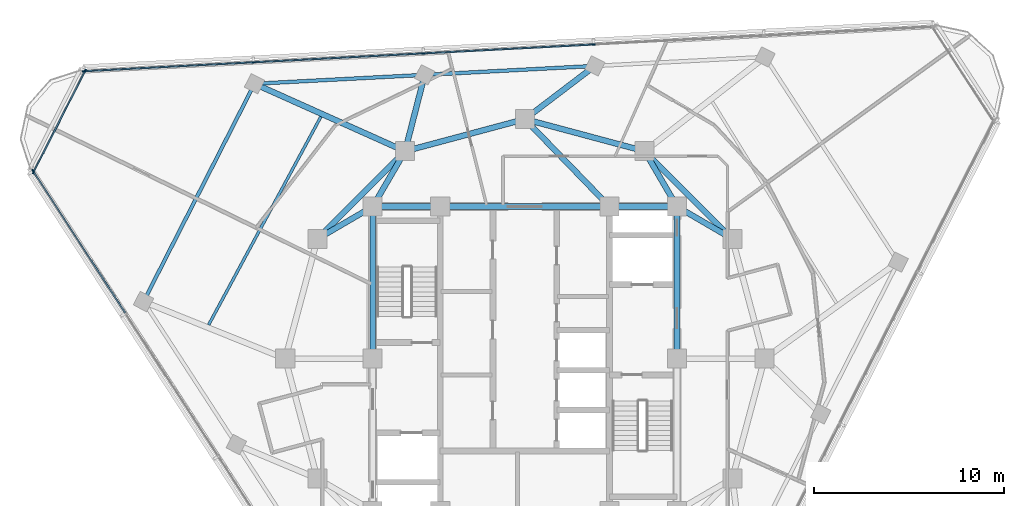
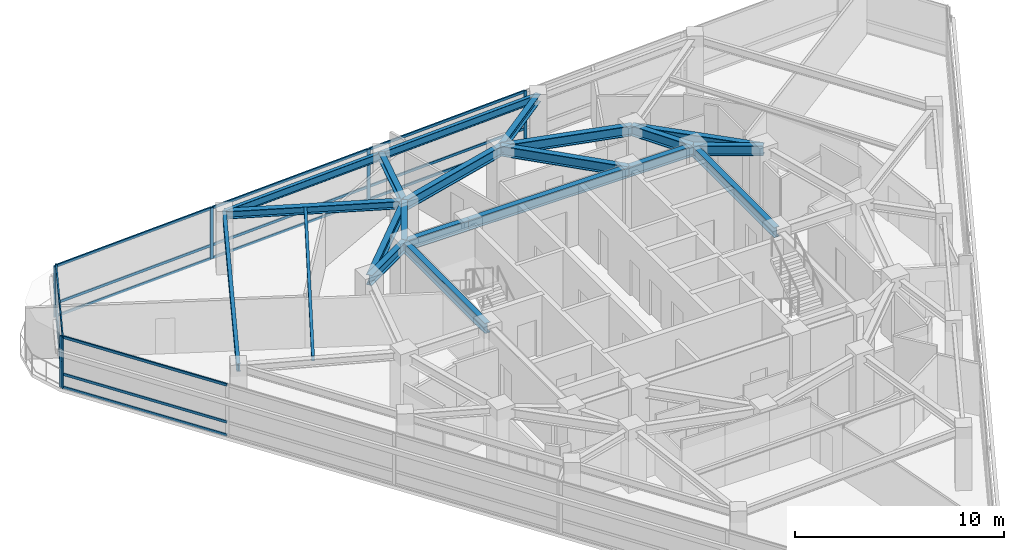
# One storey, part 5 of 15: 22 members, 21 beams, 3 elements without a shape of their own.
"""IFC4 building model written with IfcOpenShell, lengths in metres."""

import ifcopenshell
import ifcopenshell.guid

model = None  # the IFC model being written
_history = None  # IfcOwnerHistory: only IFC2X3 demands one
_inside = {}  # id of a spatial element -> (the spatial element, [elements in it])
_under = {}  # id of a project, library or spatial element -> (it, [spatial elements below it])
_declared = {}  # id of a project -> (the project, [libraries it declares])
_typed = {}  # id of a type object -> (the type object, [elements of that type])
_made_of = {}  # id of a material, layer set ... -> (it, [elements and type objects made of it])


def new_model(schema):
    """Start an empty IFC model of exactly this schema.

    Asked for "IFC4X3", IfcOpenShell would pick the latest addendum, in which some entities
    have other attributes; the version numbers below select the first issue.
    IFC2X3 requires an IfcOwnerHistory on every rooted entity: one is made here for all.
    """
    global model, _history
    if schema == "IFC4X3":
        model = ifcopenshell.file(schema_version=(4, 3, 0, 0))
    else:
        model = ifcopenshell.file(schema=schema)
    _inside.clear()
    _under.clear()
    _declared.clear()
    _typed.clear()
    _made_of.clear()
    _history = None
    if model.schema == "IFC2X3":
        org = make("IfcOrganization", Name="unknown")
        user = make(
            "IfcPersonAndOrganization",
            ThePerson=make("IfcPerson", FamilyName="unknown"),
            TheOrganization=org,
        )
        app = make(
            "IfcApplication",
            ApplicationDeveloper=org,
            Version="unknown",
            ApplicationFullName="unknown",
            ApplicationIdentifier="unknown",
        )
        _history = make(
            "IfcOwnerHistory",
            OwningUser=user,
            OwningApplication=app,
            ChangeAction="ADDED",
            CreationDate=0,
        )
    return model


def make(cls, **values):
    """One entity of the class cls with the attributes given. An attribute that is None is left unset."""
    return model.create_entity(
        cls, **{name: value for name, value in values.items() if value is not None}
    )


def rooted(cls, **values):
    """An entity with a GlobalId (a new one), such as an element, a storey or a relation."""
    return make(cls, GlobalId=ifcopenshell.guid.new(), OwnerHistory=_history, **values)


def si_unit(unit_type, name, prefix=None):
    """IfcSIUnit, for example si_unit("LENGTHUNIT", "METRE", prefix="MILLI")."""
    return make("IfcSIUnit", UnitType=unit_type, Prefix=prefix, Name=name)


def assignment(units):
    """IfcUnitAssignment: the units of a project."""
    return None if units is None else make("IfcUnitAssignment", Units=units)


def point(xyz):
    """IfcCartesianPoint."""
    return None if xyz is None else make("IfcCartesianPoint", Coordinates=xyz)


def direction(xyz):
    """IfcDirection."""
    return None if xyz is None else make("IfcDirection", DirectionRatios=xyz)


def frame(location, z_axis=None, x_axis=None):
    """IfcAxis2Placement3D, a coordinate frame: its origin and axes. An axis left out is left unset."""
    return make(
        "IfcAxis2Placement3D",
        Location=point(location),
        Axis=direction(z_axis),
        RefDirection=direction(x_axis),
    )


def frame_2d(location, x_axis=None):
    """IfcAxis2Placement2D, a coordinate frame in the plane: its origin and x axis."""
    return make(
        "IfcAxis2Placement2D", Location=point(location), RefDirection=direction(x_axis)
    )


def origin():
    """The frame at (0, 0, 0) with its axes left unset."""
    return frame((0.0, 0.0, 0.0))


def origin_2d():
    """The frame at (0, 0) in the plane with its x axis left unset."""
    return frame_2d((0.0, 0.0))


def place(relative_to, where):
    """IfcLocalPlacement: puts the frame where relative to a parent placement (None: the world)."""
    return make(
        "IfcLocalPlacement", PlacementRelTo=relative_to, RelativePlacement=where
    )


def context(
    kind, dimensions, precision=None, world=None, true_north=None, identifier=None
):
    """IfcGeometricRepresentationContext, for example the 3D "Model" context."""
    return make(
        "IfcGeometricRepresentationContext",
        ContextIdentifier=identifier,
        ContextType=kind,
        CoordinateSpaceDimension=dimensions,
        Precision=precision,
        WorldCoordinateSystem=world,
        TrueNorth=true_north,
    )


def subcontext(parent, identifier, kind, view, scale=None):
    """IfcGeometricRepresentationSubContext, for example "Body" below "Model"."""
    return make(
        "IfcGeometricRepresentationSubContext",
        ContextIdentifier=identifier,
        ContextType=kind,
        ParentContext=parent,
        TargetScale=scale,
        TargetView=view,
    )


def project(units=None, contexts=None):
    """IfcProject with its units and contexts."""
    return rooted(
        "IfcProject",
        Name="project",
        RepresentationContexts=contexts,
        UnitsInContext=assignment(units),
    )


def spatial(cls, under=None, at=None, **own):
    """A site, building, storey or space (cls), placed at a placement, below another one or the project."""
    s = rooted(cls, ObjectPlacement=at, **own)
    if under is not None:
        _under.setdefault(under.id(), (under, []))[1].append(s)
    return s


def profile(cls, at=None, kind="AREA", **sizes):
    """A parametric profile (cls). Its sizes go by their IFC names, for example OverallWidth=200.0."""
    return make(cls, ProfileType=kind, Position=at, **sizes)


def rectangle(**sizes):
    """IfcRectangleProfileDef."""
    return profile("IfcRectangleProfileDef", **sizes)


def i_section(**sizes):
    """IfcIShapeProfileDef."""
    return profile("IfcIShapeProfileDef", **sizes)


def extrude(swept, where, along, depth):
    """IfcExtrudedAreaSolid: the profile swept, set in the frame where, extruded along a direction by depth."""
    return make(
        "IfcExtrudedAreaSolid",
        SweptArea=swept,
        Position=where,
        ExtrudedDirection=direction(along),
        Depth=depth,
    )


def shape(context_of_items, identifier, shape_type, items):
    """IfcShapeRepresentation: the items that make up one representation, for example the "Body"."""
    return make(
        "IfcShapeRepresentation",
        ContextOfItems=context_of_items,
        RepresentationIdentifier=identifier,
        RepresentationType=shape_type,
        Items=items,
    )


def material(Name=None, Category=None):
    """IfcMaterial."""
    return make("IfcMaterial", Name=Name, Category=Category)


def layer(
    of_material, thickness, ventilated=None, Name=None, Category=None, Priority=None
):
    """IfcMaterialLayer: one layer of a wall or slab, of a material (None: an air gap)."""
    return make(
        "IfcMaterialLayer",
        Material=of_material,
        LayerThickness=thickness,
        IsVentilated=ventilated,
        Name=Name,
        Category=Category,
        Priority=Priority,
    )


def layer_set(layers, Name=None):
    """IfcMaterialLayerSet."""
    return make("IfcMaterialLayerSet", MaterialLayers=layers, LayerSetName=Name)


def material_profile(
    of_material, cross_section, Name=None, Category=None, Priority=None
):
    """IfcMaterialProfile: a cross section and its material."""
    return make(
        "IfcMaterialProfile",
        Name=Name,
        Material=of_material,
        Profile=cross_section,
        Priority=Priority,
        Category=Category,
    )


def profile_set(profiles, Name=None, composite=None):
    """IfcMaterialProfileSet."""
    return make(
        "IfcMaterialProfileSet",
        Name=Name,
        MaterialProfiles=profiles,
        CompositeProfile=composite,
    )


def made_of(thing, what):
    """Note that an element or type object is made of a material, layer set ...; save() writes the relation."""
    if what is not None:
        _made_of.setdefault(what.id(), (what, []))[1].append(thing)
    return thing


def type_object(cls, material=None, **own):
    """A type object (cls), such as IfcWallType, which elements share."""
    return made_of(rooted(cls, **own), material)


def element(
    cls,
    number,
    at=None,
    inside=None,
    cuts=None,
    type_object=None,
    material=None,
    context=None,
    identifier="Body",
    shape_type=None,
    held_by="IfcProductDefinitionShape",
    body=None,
    shapes=None,
    **own,
):
    """One element of the class cls, such as IfcWall. Its Tag is "e" and its number.

    at: its placement. inside: the storey or other place that contains it. cuts: it is an
    opening in that element (IfcRelVoidsElement). A single representation is given by context,
    identifier, shape_type and body (its items); several are given by shapes. held_by: the class
    of the entity that holds the representations. save() writes the other relations.
    """
    e = rooted(cls, Tag="e%d" % number, ObjectPlacement=at, **own)
    if body is not None:
        shapes = [shape(context, identifier, shape_type, body)]
    if shapes is not None:
        e.Representation = make(held_by, Representations=shapes)
    if inside is not None:
        _inside.setdefault(inside.id(), (inside, []))[1].append(e)
    if cuts is not None:
        rooted(
            "IfcRelVoidsElement", RelatingBuildingElement=cuts, RelatedOpeningElement=e
        )
    if type_object is not None:
        _typed.setdefault(type_object.id(), (type_object, []))[1].append(e)
    return made_of(e, material)


def aggregate(whole, parts):
    """IfcRelAggregates: a whole, such as a stair, and the parts it consists of."""
    return rooted("IfcRelAggregates", RelatingObject=whole, RelatedObjects=parts)


def save(model, path):
    """Write the relations noted so far, then the file.

    IfcRelAggregates (storeys below a building ...), IfcRelContainedInSpatialStructure (elements
    in a storey), IfcRelDefinesByType, IfcRelAssociatesMaterial and IfcRelDeclares: one each for
    every whole, place, type object, material and project.
    """
    for whole, parts in _under.values():
        aggregate(whole, parts)
    for where, things in _inside.values():
        rooted(
            "IfcRelContainedInSpatialStructure",
            RelatedElements=things,
            RelatingStructure=where,
        )
    for kind, things in _typed.values():
        rooted("IfcRelDefinesByType", RelatedObjects=things, RelatingType=kind)
    for what, things in _made_of.values():
        rooted("IfcRelAssociatesMaterial", RelatedObjects=things, RelatingMaterial=what)
    for by, libraries in _declared.values():
        rooted("IfcRelDeclares", RelatingContext=by, RelatedDefinitions=libraries)
    model.write(path)


model = new_model("IFC4")

# Units and contexts
model_context = context("Model", 3, precision=1e-05, world=origin(), true_north=direction((0.0, 1.0)))
body_context = subcontext(model_context, "Body", "Model", "MODEL_VIEW")
ifc_project = project(units=[si_unit("LENGTHUNIT", "METRE"), si_unit("AREAUNIT", "SQUARE_METRE"), si_unit("VOLUMEUNIT", "CUBIC_METRE"), si_unit("PLANEANGLEUNIT", "RADIAN"), si_unit("MASSUNIT", "GRAM", prefix="KILO")], contexts=[model_context])

# Site, building, storey
site_placement = place(None, origin())
site = spatial("IfcSite", under=ifc_project, at=site_placement, CompositionType="ELEMENT")
building_placement = place(site_placement, origin())
building = spatial("IfcBuilding", under=site, at=building_placement, Name="Terralouvre Media Tower", CompositionType="ELEMENT")
storey_placement = place(building_placement, frame((0.0, 0.0, 255.89990234375)))
storey = spatial("IfcBuildingStorey", under=building, at=storey_placement, Name="L66", CompositionType="ELEMENT", Elevation=255.89990234375)

# Beam
ifc_material_1 = material(Name="Structural steel S355J2", Category="steel")
ifc_material_profile_1 = material_profile(ifc_material_1, i_section(OverallWidth=0.14990234375, OverallDepth=0.300048828125, WebThickness=0.007080078125, FlangeThickness=0.0107421875, at=origin_2d()), Name="IPE 300")
ifc_profile_set_1 = profile_set([ifc_material_profile_1], Name="Structural steel S355J2")
beam_type_1 = type_object("IfcBeamType", Name="Composite Floor Joist J-IPE300 (IPE 300)", PredefinedType="JOIST", material=ifc_profile_set_1)
beam_1_placement = place(storey_placement, frame((-10.72509765625, 12.73046875, 3.35009765625), z_axis=(-0.47463118451, -0.880184775312, 0.0), x_axis=(0.880184775312, -0.47463118451, 0.0)))
element("IfcBeam", 1, at=beam_1_placement, inside=storey, type_object=beam_type_1, Name="L66 Framing Beam JT-L66-05", PredefinedType="JOIST", context=body_context, shape_type="SweptSolid", body=[
    extrude(i_section(OverallWidth=0.14990234375, OverallDepth=0.300048828125, WebThickness=0.007080078125, FlangeThickness=0.0107421875, at=origin_2d()), origin(), (0.0, 0.0, 1.0), 12.437255859375),
])

# Curtain wall, members
ifc_material_2 = material(Name="Low-iron laminated double glazing with solar-control coating", Category="glass")
ifc_layer_1 = layer(ifc_material_2, 0.1650390625, Name="Upper Executive Tower Curtain Wall CW-05")
ifc_layer_set_1 = layer_set([ifc_layer_1], Name="Low-iron laminated double glazing with solar-control coating")
curtain_wall_type_1 = type_object("IfcCurtainWallType", Name="Upper Executive Tower Curtain Wall CW-05", PredefinedType="NOTDEFINED", material=ifc_layer_set_1)
curtain_wall_1_placement = place(storey_placement, origin())
curtain_wall_1 = element("IfcCurtainWall", 2, at=curtain_wall_1_placement, inside=storey, type_object=curtain_wall_type_1, Name="L66 Facade Curtain Wall F1", PredefinedType="NOTDEFINED")
ifc_material_3 = material(Name="Anodised extruded aluminium 6063-T6", Category="aluminium")
ifc_material_profile_2 = material_profile(ifc_material_3, rectangle(XDim=0.074951171875, YDim=0.14990234375, at=origin_2d()), Name="ALU 75x150")
ifc_profile_set_2 = profile_set([ifc_material_profile_2], Name="Anodised extruded aluminium 6063-T6")
member_type_1 = type_object("IfcMemberType", Name="Curtain-Wall Horizontal Transom TR-150", PredefinedType="USERDEFINED", material=ifc_profile_set_2)
member_1_placement = place(storey_placement, frame((3.582763671875, 16.522705078125, 0.03759765625), z_axis=(-0.998630476572, -0.052317982208, 0.0), x_axis=(0.052317982208, -0.998630476572, 0.0)))
member_1 = element("IfcMember", 3, at=member_1_placement, type_object=member_type_1, Name="CW-05 transom 3.1", ObjectType="TRANSOM", PredefinedType="USERDEFINED", context=body_context, shape_type="SweptSolid", body=[
    extrude(rectangle(XDim=0.074951171875, YDim=0.14990234375, at=origin_2d()), origin(), (0.0, 0.0, 1.0), 8.885009765625),
])
member_2_placement = place(storey_placement, frame((3.582763671875, 16.522705078125, 0.800048828125), z_axis=(-0.998630476572, -0.052317982208, 0.0), x_axis=(0.052317982208, -0.998630476572, 0.0)))
member_2 = element("IfcMember", 4, at=member_2_placement, type_object=member_type_1, Name="CW-05 transom 3.2", ObjectType="TRANSOM", PredefinedType="USERDEFINED", context=body_context, shape_type="SweptSolid", body=[
    extrude(rectangle(XDim=0.074951171875, YDim=0.14990234375, at=origin_2d()), origin(), (0.0, 0.0, 1.0), 8.885009765625),
])
member_3_placement = place(storey_placement, frame((3.582763671875, 16.522705078125, 2.962646484375), z_axis=(-0.998630476572, -0.052317982208, 0.0), x_axis=(0.052317982208, -0.998630476572, 0.0)))
member_3 = element("IfcMember", 5, at=member_3_placement, type_object=member_type_1, Name="CW-05 transom 3.3", ObjectType="TRANSOM", PredefinedType="USERDEFINED", context=body_context, shape_type="SweptSolid", body=[
    extrude(rectangle(XDim=0.074951171875, YDim=0.14990234375, at=origin_2d()), origin(), (0.0, 0.0, 1.0), 8.885009765625),
])
member_4_placement = place(storey_placement, frame((-5.364990234375, 16.053955078125, 0.03759765625), z_axis=(-0.998629040577, -0.052345384869, 0.0), x_axis=(0.052345384869, -0.998629040577, 0.0)))
member_4 = element("IfcMember", 6, at=member_4_placement, type_object=member_type_1, Name="CW-05 transom 4.1", ObjectType="TRANSOM", PredefinedType="USERDEFINED", context=body_context, shape_type="SweptSolid", body=[
    extrude(rectangle(XDim=0.074951171875, YDim=0.14990234375, at=origin_2d()), origin(), (0.0, 0.0, 1.0), 8.885009765625),
])
member_5_placement = place(storey_placement, frame((-5.364990234375, 16.053955078125, 0.800048828125), z_axis=(-0.998629040577, -0.052345384869, 0.0), x_axis=(0.052345384869, -0.998629040577, 0.0)))
member_5 = element("IfcMember", 7, at=member_5_placement, type_object=member_type_1, Name="CW-05 transom 4.2", ObjectType="TRANSOM", PredefinedType="USERDEFINED", context=body_context, shape_type="SweptSolid", body=[
    extrude(rectangle(XDim=0.074951171875, YDim=0.14990234375, at=origin_2d()), origin(), (0.0, 0.0, 1.0), 8.885009765625),
])
member_6_placement = place(storey_placement, frame((-5.364990234375, 16.053955078125, 2.962646484375), z_axis=(-0.998629040577, -0.052345384869, 0.0), x_axis=(0.052345384869, -0.998629040577, 0.0)))
member_6 = element("IfcMember", 8, at=member_6_placement, type_object=member_type_1, Name="CW-05 transom 4.3", ObjectType="TRANSOM", PredefinedType="USERDEFINED", context=body_context, shape_type="SweptSolid", body=[
    extrude(rectangle(XDim=0.074951171875, YDim=0.14990234375, at=origin_2d()), origin(), (0.0, 0.0, 1.0), 8.885009765625),
])
member_7_placement = place(storey_placement, frame((-14.312744140625, 15.5849609375, 0.03759765625), z_axis=(-0.99862901196, -0.052345930801, 0.0), x_axis=(0.052345930801, -0.99862901196, 0.0)))
member_7 = element("IfcMember", 9, at=member_7_placement, type_object=member_type_1, Name="CW-05 transom 5.1", ObjectType="TRANSOM", PredefinedType="USERDEFINED", context=body_context, shape_type="SweptSolid", body=[
    extrude(rectangle(XDim=0.074951171875, YDim=0.14990234375, at=origin_2d()), origin(), (0.0, 0.0, 1.0), 8.84765625),
])
member_8_placement = place(storey_placement, frame((-14.312744140625, 15.5849609375, 0.800048828125), z_axis=(-0.99862901196, -0.052345930801, 0.0), x_axis=(0.052345930801, -0.99862901196, 0.0)))
member_8 = element("IfcMember", 10, at=member_8_placement, type_object=member_type_1, Name="CW-05 transom 5.2", ObjectType="TRANSOM", PredefinedType="USERDEFINED", context=body_context, shape_type="SweptSolid", body=[
    extrude(rectangle(XDim=0.074951171875, YDim=0.14990234375, at=origin_2d()), origin(), (0.0, 0.0, 1.0), 8.84765625),
])
member_9_placement = place(storey_placement, frame((-14.312744140625, 15.5849609375, 2.962646484375), z_axis=(-0.99862901196, -0.052345930801, 0.0), x_axis=(0.052345930801, -0.99862901196, 0.0)))
member_9 = element("IfcMember", 11, at=member_9_placement, type_object=member_type_1, Name="CW-05 transom 5.3", ObjectType="TRANSOM", PredefinedType="USERDEFINED", context=body_context, shape_type="SweptSolid", body=[
    extrude(rectangle(XDim=0.074951171875, YDim=0.14990234375, at=origin_2d()), origin(), (0.0, 0.0, 1.0), 8.84765625),
])

curtain_wall_2_placement = place(storey_placement, origin())
curtain_wall_2 = element("IfcCurtainWall", 12, at=curtain_wall_2_placement, inside=storey, type_object=curtain_wall_type_1, Name="L66 Facade Curtain Wall F2", PredefinedType="NOTDEFINED")
member_10_placement = place(storey_placement, frame((-25.840087890625, 9.8388671875, 0.03759765625), z_axis=(0.5446498072, -0.838663572308, 0.0), x_axis=(0.838663572308, 0.5446498072, 0.0)))
member_10 = element("IfcMember", 13, at=member_10_placement, type_object=member_type_1, Name="CW-05 transom 1.1", ObjectType="TRANSOM", PredefinedType="USERDEFINED", context=body_context, shape_type="SweptSolid", body=[
    extrude(rectangle(XDim=0.074951171875, YDim=0.14990234375, at=origin_2d()), origin(), (0.0, 0.0, 1.0), 8.84765625),
])
member_11_placement = place(storey_placement, frame((-25.840087890625, 9.8388671875, 0.800048828125), z_axis=(0.5446498072, -0.838663572308, 0.0), x_axis=(0.838663572308, 0.5446498072, 0.0)))
member_11 = element("IfcMember", 14, at=member_11_placement, type_object=member_type_1, Name="CW-05 transom 1.2", ObjectType="TRANSOM", PredefinedType="USERDEFINED", context=body_context, shape_type="SweptSolid", body=[
    extrude(rectangle(XDim=0.074951171875, YDim=0.14990234375, at=origin_2d()), origin(), (0.0, 0.0, 1.0), 8.84765625),
])
member_12_placement = place(storey_placement, frame((-25.840087890625, 9.8388671875, 2.962646484375), z_axis=(0.5446498072, -0.838663572308, 0.0), x_axis=(0.838663572308, 0.5446498072, 0.0)))
member_12 = element("IfcMember", 15, at=member_12_placement, type_object=member_type_1, Name="CW-05 transom 1.3", ObjectType="TRANSOM", PredefinedType="USERDEFINED", context=body_context, shape_type="SweptSolid", body=[
    extrude(rectangle(XDim=0.074951171875, YDim=0.14990234375, at=origin_2d()), origin(), (0.0, 0.0, 1.0), 8.84765625),
])

ifc_material_4 = material(Name="Low-iron laminated double glazing with solar-control coating", Category="glass")
ifc_layer_2 = layer(ifc_material_4, 0.1650390625, Name="Rounded Wind-Corner Curved Glazing CW-04")
ifc_layer_set_2 = layer_set([ifc_layer_2], Name="Low-iron laminated double glazing with solar-control coating")
curtain_wall_type_2 = type_object("IfcCurtainWallType", Name="Rounded Wind-Corner Curved Glazing CW-04", PredefinedType="NOTDEFINED", material=ifc_layer_set_2)
curtain_wall_3_placement = place(storey_placement, origin())
curtain_wall_3 = element("IfcCurtainWall", 16, at=curtain_wall_3_placement, inside=storey, type_object=curtain_wall_type_2, Name="L66 Rounded Wind-Corner Curtain Wall C2", PredefinedType="NOTDEFINED")
member_13_placement = place(storey_placement, frame((-23.138671875, 15.107421875, 0.03759765625), z_axis=(-0.453989495794, -0.891007035724, 0.0), x_axis=(0.891007035724, -0.453989495794, 0.0)))
member_13 = element("IfcMember", 17, at=member_13_placement, type_object=member_type_1, Name="CW-04 transom 1.1", ObjectType="TRANSOM", PredefinedType="USERDEFINED", context=body_context, shape_type="SweptSolid", body=[
    extrude(rectangle(XDim=0.074951171875, YDim=0.14990234375, at=origin_2d()), origin(), (0.0, 0.0, 1.0), 5.912109375),
])
member_14_placement = place(storey_placement, frame((-23.138671875, 15.107421875, 0.800048828125), z_axis=(-0.453989495794, -0.891007035724, 0.0), x_axis=(0.891007035724, -0.453989495794, 0.0)))
member_14 = element("IfcMember", 18, at=member_14_placement, type_object=member_type_1, Name="CW-04 transom 1.2", ObjectType="TRANSOM", PredefinedType="USERDEFINED", context=body_context, shape_type="SweptSolid", body=[
    extrude(rectangle(XDim=0.074951171875, YDim=0.14990234375, at=origin_2d()), origin(), (0.0, 0.0, 1.0), 5.912109375),
])
member_15_placement = place(storey_placement, frame((-23.138671875, 15.107421875, 2.962646484375), z_axis=(-0.453989495794, -0.891007035724, 0.0), x_axis=(0.891007035724, -0.453989495794, 0.0)))
member_15 = element("IfcMember", 19, at=member_15_placement, type_object=member_type_1, Name="CW-04 transom 1.3", ObjectType="TRANSOM", PredefinedType="USERDEFINED", context=body_context, shape_type="SweptSolid", body=[
    extrude(rectangle(XDim=0.074951171875, YDim=0.14990234375, at=origin_2d()), origin(), (0.0, 0.0, 1.0), 5.912109375),
])

# Member
ifc_material_5 = material(Name="Anodised extruded aluminium 6063-T6", Category="aluminium")
ifc_material_profile_3 = material_profile(ifc_material_5, rectangle(XDim=0.074951171875, YDim=0.179931640625, at=origin_2d()), Name="ALU 75x180")
ifc_profile_set_3 = profile_set([ifc_material_profile_3], Name="Anodised extruded aluminium 6063-T6")
member_type_2 = type_object("IfcMemberType", Name="Curtain-Wall Vertical Mullion ML-180", PredefinedType="MULLION", material=ifc_profile_set_3)
member_16_placement = place(storey_placement, frame((3.6201171875, 16.524658203125, 0.0), z_axis=(0.0, 0.0, 1.0), x_axis=(0.052336163844, -0.998629523875, 0.0)))
member_16 = element("IfcMember", 20, at=member_16_placement, type_object=member_type_2, Name="CW-05 mullion 3", PredefinedType="MULLION", context=body_context, shape_type="SweptSolid", body=[
    extrude(rectangle(XDim=0.074951171875, YDim=0.179931640625, at=origin_2d()), origin(), (0.0, 0.0, 1.0), 3.0),
])

member_17_placement = place(storey_placement, frame((-5.32763671875, 16.055908203125, 0.0), z_axis=(0.0, 0.0, 1.0), x_axis=(0.052336163844, -0.998629523875, 0.0)))
member_17 = element("IfcMember", 21, at=member_17_placement, type_object=member_type_2, Name="CW-05 mullion 4", PredefinedType="MULLION", context=body_context, shape_type="SweptSolid", body=[
    extrude(rectangle(XDim=0.074951171875, YDim=0.179931640625, at=origin_2d()), origin(), (0.0, 0.0, 1.0), 3.0),
])

member_18_placement = place(storey_placement, frame((-14.275390625, 15.5869140625, 0.0), z_axis=(0.0, 0.0, 1.0), x_axis=(0.052336163844, -0.998629523875, 0.0)))
member_18 = element("IfcMember", 22, at=member_18_placement, type_object=member_type_2, Name="CW-05 mullion 5", PredefinedType="MULLION", context=body_context, shape_type="SweptSolid", body=[
    extrude(rectangle(XDim=0.074951171875, YDim=0.179931640625, at=origin_2d()), origin(), (0.0, 0.0, 1.0), 3.0),
])

member_19_placement = place(storey_placement, frame((-23.185546875, 15.119873046875, 0.0), z_axis=(0.0, 0.0, 1.0), x_axis=(0.052336163844, -0.998629523875, 0.0)))
member_19 = element("IfcMember", 23, at=member_19_placement, type_object=member_type_2, Name="CW-05 mullion 6", PredefinedType="MULLION", context=body_context, shape_type="SweptSolid", body=[
    extrude(rectangle(XDim=0.074951171875, YDim=0.179931640625, at=origin_2d()), origin(), (0.0, 0.0, 1.0), 3.0),
])

aggregate(curtain_wall_1, [member_16, member_17, member_18, member_19, member_1, member_2, member_3, member_4, member_5, member_6, member_7, member_8, member_9])

member_20_placement = place(storey_placement, frame((-25.8603515625, 9.870361328125, 0.0), z_axis=(0.0, 0.0, 1.0), x_axis=(0.838670545826, 0.544639069077, 0.0)))
member_20 = element("IfcMember", 24, at=member_20_placement, type_object=member_type_2, Name="CW-05 mullion 1", PredefinedType="MULLION", context=body_context, shape_type="SweptSolid", body=[
    extrude(rectangle(XDim=0.074951171875, YDim=0.179931640625, at=origin_2d()), origin(), (0.0, 0.0, 1.0), 3.0),
])

aggregate(curtain_wall_2, [member_20, member_10, member_11, member_12])

member_21_placement = place(storey_placement, frame((-23.12158203125, 15.140869140625, 0.0), z_axis=(0.0, 0.0, 1.0), x_axis=(0.891006600517, -0.453990349937, 0.0)))
member_21 = element("IfcMember", 25, at=member_21_placement, type_object=member_type_2, Name="CW-04 mullion 1", PredefinedType="MULLION", context=body_context, shape_type="SweptSolid", body=[
    extrude(rectangle(XDim=0.074951171875, YDim=0.179931640625, at=origin_2d()), origin(), (0.0, 0.0, 1.0), 3.0),
])

member_22_placement = place(storey_placement, frame((-25.83984375, 9.80615234375, 0.0), z_axis=(0.0, 0.0, 1.0), x_axis=(0.891006600517, -0.453990349937, 0.0)))
member_22 = element("IfcMember", 26, at=member_22_placement, type_object=member_type_2, Name="CW-04 mullion 2", PredefinedType="MULLION", context=body_context, shape_type="SweptSolid", body=[
    extrude(rectangle(XDim=0.074951171875, YDim=0.179931640625, at=origin_2d()), origin(), (0.0, 0.0, 1.0), 3.0),
])

aggregate(curtain_wall_3, [member_21, member_22, member_13, member_14, member_15])

# Beams
ifc_material_6 = material(Name="Structural steel S355J2", Category="steel")
ifc_material_profile_4 = material_profile(ifc_material_6, i_section(OverallWidth=0.18994140625, OverallDepth=0.449951171875, WebThickness=0.009521484375, FlangeThickness=0.0146484375, at=origin_2d()), Name="IPE 450")
ifc_profile_set_4 = profile_set([ifc_material_profile_4], Name="Structural steel S355J2")
beam_type_2 = type_object("IfcBeamType", Name="Perimeter Spandrel Beam SPB-450 (IPE 450)", PredefinedType="SPANDREL", material=ifc_profile_set_4)
for number, where, z_axis, x_axis, name in (
    (27, (3.67919921875, 15.396240234375, 3.275146484375), (-0.998630595649, -0.05231570924, 0.0), (0.05231570924, -0.998630595649, 0.0), "L66 Framing Beam BM-L66-PR09"),
    (28, (-5.2685546875, 14.927490234375, 3.275146484375), (-0.998629171747, -0.052342882372, 0.0), (0.052342882372, -0.998629171747, 0.0), "L66 Framing Beam BM-L66-PR10"),
):
    element("IfcBeam", number, at=place(storey_placement, frame(where, z_axis=z_axis, x_axis=x_axis)), inside=storey, type_object=beam_type_2, Name=name, PredefinedType="SPANDREL", context=body_context, shape_type="SweptSolid", body=[
        extrude(i_section(OverallWidth=0.18994140625, OverallDepth=0.449951171875, WebThickness=0.009521484375, FlangeThickness=0.0146484375, at=origin_2d()), origin(), (0.0, 0.0, 1.0), 8.9599609375),
    ])
beam_2_placement = place(storey_placement, frame((-14.21630859375, 14.45849609375, 3.275146484375), z_axis=(-0.453983525005, -0.891010077958, 0.0), x_axis=(0.891010077958, -0.453983525005, 0.0)))
element("IfcBeam", 29, at=beam_2_placement, inside=storey, type_object=beam_type_2, Name="L66 Framing Beam BM-L66-PR11", PredefinedType="SPANDREL", context=body_context, shape_type="SweptSolid", body=[
    extrude(i_section(OverallWidth=0.18994140625, OverallDepth=0.449951171875, WebThickness=0.009521484375, FlangeThickness=0.0146484375, at=origin_2d()), origin(), (0.0, 0.0, 1.0), 12.857177734375),
])
ifc_material_7 = material(Name="Structural steel S355J2", Category="steel")
ifc_material_profile_5 = material_profile(ifc_material_7, i_section(OverallWidth=0.300048828125, OverallDepth=0.449951171875, WebThickness=0.013916015625, FlangeThickness=0.02587890625, at=origin_2d()), Name="HEB 450")
ifc_profile_set_5 = profile_set([ifc_material_profile_5], Name="Structural steel S355J2")
beam_type_3 = type_object("IfcBeamType", Name="Primary Floor Girder B-HEB450 (HEB 450)", PredefinedType="BEAM", material=ifc_profile_set_5)
beam_3_placement = place(storey_placement, frame((0.0, 12.60009765625, 3.275146484375), z_axis=(0.796167284329, 0.605076569836, 0.0), x_axis=(-0.605076569836, 0.796167284329, 0.0)))
element("IfcBeam", 30, at=beam_3_placement, inside=storey, type_object=beam_type_3, Name="L66 Framing Beam BM-L66-RD09", PredefinedType="BEAM", context=body_context, shape_type="SweptSolid", body=[
    extrude(i_section(OverallWidth=0.300048828125, OverallDepth=0.449951171875, WebThickness=0.013916015625, FlangeThickness=0.02587890625, at=origin_2d()), origin(), (0.0, 0.0, 1.0), 4.62109375),
])
beam_4_placement = place(storey_placement, frame((-6.300048828125, 10.911865234375, 3.275146484375), z_axis=(0.248793268672, 0.968556611388, 0.0), x_axis=(-0.968556611388, 0.248793268672, 0.0)))
element("IfcBeam", 31, at=beam_4_placement, inside=storey, type_object=beam_type_3, Name="L66 Framing Beam BM-L66-RD10", PredefinedType="BEAM", context=body_context, shape_type="SweptSolid", body=[
    extrude(i_section(OverallWidth=0.300048828125, OverallDepth=0.449951171875, WebThickness=0.013916015625, FlangeThickness=0.02587890625, at=origin_2d()), origin(), (0.0, 0.0, 1.0), 4.14599609375),
])
beam_5_placement = place(storey_placement, frame((-6.300048828125, 10.911865234375, 3.275146484375), z_axis=(-0.912596970607, 0.408860329746, 0.0), x_axis=(-0.408860329746, -0.912596970607, 0.0)))
element("IfcBeam", 32, at=beam_5_placement, inside=storey, type_object=beam_type_3, Name="L66 Framing Beam BM-L66-RD11", PredefinedType="BEAM", context=body_context, shape_type="SweptSolid", body=[
    extrude(i_section(OverallWidth=0.300048828125, OverallDepth=0.449951171875, WebThickness=0.013916015625, FlangeThickness=0.02587890625, at=origin_2d()), origin(), (0.0, 0.0, 1.0), 8.67431640625),
])
ifc_material_8 = material(Name="Structural steel S460M", Category="steel")
ifc_material_profile_6 = material_profile(ifc_material_8, i_section(OverallWidth=0.300048828125, OverallDepth=0.60009765625, WebThickness=0.015380859375, FlangeThickness=0.030029296875, at=origin_2d()), Name="HEB 600")
ifc_profile_set_6 = profile_set([ifc_material_profile_6], Name="Structural steel S460M")
beam_type_4 = type_object("IfcBeamType", Name="Primary Floor Girder B-HEB600 (HEB 600)", PredefinedType="BEAM", material=ifc_profile_set_6)
beam_6_placement = place(storey_placement, frame((8.0, 0.0, 3.2001953125), z_axis=(0.0, 1.0, 0.0), x_axis=(-1.0, 0.0, 0.0)))
element("IfcBeam", 33, at=beam_6_placement, inside=storey, type_object=beam_type_4, Name="L66 Framing Beam BM-L66-CPR05", PredefinedType="BEAM", context=body_context, shape_type="SweptSolid", body=[
    extrude(i_section(OverallWidth=0.300048828125, OverallDepth=0.60009765625, WebThickness=0.015380859375, FlangeThickness=0.030029296875, at=origin_2d()), origin(), (0.0, 0.0, 1.0), 8.0),
])
beam_7_placement = place(storey_placement, frame((8.0, 8.0, 3.2001953125), z_axis=(-1.0, 0.0, 0.0), x_axis=(0.0, -1.0, 0.0)))
element("IfcBeam", 34, at=beam_7_placement, inside=storey, type_object=beam_type_4, Name="L66 Framing Beam BM-L66-CPR06", PredefinedType="BEAM", context=body_context, shape_type="SweptSolid", body=[
    extrude(i_section(OverallWidth=0.300048828125, OverallDepth=0.60009765625, WebThickness=0.015380859375, FlangeThickness=0.030029296875, at=origin_2d()), origin(), (0.0, 0.0, 1.0), 3.550048828125),
])
beam_8_placement = place(storey_placement, frame((4.449951171875, 8.0, 3.2001953125), z_axis=(-1.0, 0.0, 0.0), x_axis=(0.0, -1.0, 0.0)))
element("IfcBeam", 35, at=beam_8_placement, inside=storey, type_object=beam_type_4, Name="L66 Framing Beam BM-L66-CPR07", PredefinedType="BEAM", context=body_context, shape_type="SweptSolid", body=[
    extrude(i_section(OverallWidth=0.300048828125, OverallDepth=0.60009765625, WebThickness=0.015380859375, FlangeThickness=0.030029296875, at=origin_2d()), origin(), (0.0, 0.0, 1.0), 8.89990234375),
])
beam_9_placement = place(storey_placement, frame((-4.449951171875, 8.0, 3.2001953125), z_axis=(-1.0, 0.0, 0.0), x_axis=(0.0, -1.0, 0.0)))
element("IfcBeam", 36, at=beam_9_placement, inside=storey, type_object=beam_type_4, Name="L66 Framing Beam BM-L66-CPR08", PredefinedType="BEAM", context=body_context, shape_type="SweptSolid", body=[
    extrude(i_section(OverallWidth=0.300048828125, OverallDepth=0.60009765625, WebThickness=0.015380859375, FlangeThickness=0.030029296875, at=origin_2d()), origin(), (0.0, 0.0, 1.0), 3.550048828125),
])
beam_10_placement = place(storey_placement, frame((-8.0, 8.0, 3.2001953125), z_axis=(0.0, -1.0, 0.0), x_axis=(1.0, 0.0, 0.0)))
element("IfcBeam", 37, at=beam_10_placement, inside=storey, type_object=beam_type_4, Name="L66 Framing Beam BM-L66-CPR09", PredefinedType="BEAM", context=body_context, shape_type="SweptSolid", body=[
    extrude(i_section(OverallWidth=0.300048828125, OverallDepth=0.60009765625, WebThickness=0.015380859375, FlangeThickness=0.030029296875, at=origin_2d()), origin(), (0.0, 0.0, 1.0), 8.0),
])
beam_11_placement = place(storey_placement, frame((10.911865234375, 6.300048828125, 3.2001953125), z_axis=(-0.707106781187, 0.707106781187, 0.0), x_axis=(-0.707106781187, -0.707106781187, 0.0)))
element("IfcBeam", 38, at=beam_11_placement, inside=storey, type_object=beam_type_4, Name="L66 Framing Beam BM-L66-MR07", PredefinedType="BEAM", context=body_context, shape_type="SweptSolid", body=[
    extrude(i_section(OverallWidth=0.300048828125, OverallDepth=0.60009765625, WebThickness=0.015380859375, FlangeThickness=0.030029296875, at=origin_2d()), origin(), (0.0, 0.0, 1.0), 6.52197265625),
])
for number, where, z_axis, x_axis, name in (
    (39, (6.300048828125, 10.911865234375, 3.2001953125), (-0.965920481897, 0.258838989821, 0.0), (-0.258838989821, -0.965920481897, 0.0), "L66 Framing Beam BM-L66-MR08"),
    (40, (0.0, 12.60009765625, 3.2001953125), (-0.965920481897, -0.258838989821, 0.0), (0.258838989821, -0.965920481897, 0.0), "L66 Framing Beam BM-L66-MR09"),
):
    element("IfcBeam", number, at=place(storey_placement, frame(where, z_axis=z_axis, x_axis=x_axis)), inside=storey, type_object=beam_type_4, Name=name, PredefinedType="BEAM", context=body_context, shape_type="SweptSolid", body=[
        extrude(i_section(OverallWidth=0.300048828125, OverallDepth=0.60009765625, WebThickness=0.015380859375, FlangeThickness=0.030029296875, at=origin_2d()), origin(), (0.0, 0.0, 1.0), 6.522216796875),
    ])
beam_12_placement = place(storey_placement, frame((-6.300048828125, 10.911865234375, 3.2001953125), z_axis=(-0.707106781187, -0.707106781187, 0.0), x_axis=(0.707106781187, -0.707106781187, 0.0)))
element("IfcBeam", 41, at=beam_12_placement, inside=storey, type_object=beam_type_4, Name="L66 Framing Beam BM-L66-MR10", PredefinedType="BEAM", context=body_context, shape_type="SweptSolid", body=[
    extrude(i_section(OverallWidth=0.300048828125, OverallDepth=0.60009765625, WebThickness=0.015380859375, FlangeThickness=0.030029296875, at=origin_2d()), origin(), (0.0, 0.0, 1.0), 6.52197265625),
])
for number, where, z_axis, x_axis, name in (
    (42, (8.0, 8.0, 3.2001953125), (0.863602894532, -0.504172629717, 0.0), (0.504172629717, 0.863602894532, 0.0), "L66 Framing Beam BM-L66-CM07"),
    (43, (8.0, 8.0, 3.2001953125), (-0.504172629717, 0.863602894532, 0.0), (-0.863602894532, -0.504172629717, 0.0), "L66 Framing Beam BM-L66-CM08"),
):
    element("IfcBeam", number, at=place(storey_placement, frame(where, z_axis=z_axis, x_axis=x_axis)), inside=storey, type_object=beam_type_4, Name=name, PredefinedType="BEAM", context=body_context, shape_type="SweptSolid", body=[
        extrude(i_section(OverallWidth=0.300048828125, OverallDepth=0.60009765625, WebThickness=0.015380859375, FlangeThickness=0.030029296875, at=origin_2d()), origin(), (0.0, 0.0, 1.0), 3.371826171875),
    ])
beam_13_placement = place(storey_placement, frame((4.449951171875, 8.0, 3.2001953125), z_axis=(-0.695279715726, 0.718739255155, 0.0), x_axis=(-0.718739255155, -0.695279715726, 0.0)))
element("IfcBeam", 44, at=beam_13_placement, inside=storey, type_object=beam_type_4, Name="L66 Framing Beam BM-L66-CM09", PredefinedType="BEAM", context=body_context, shape_type="SweptSolid", body=[
    extrude(i_section(OverallWidth=0.300048828125, OverallDepth=0.60009765625, WebThickness=0.015380859375, FlangeThickness=0.030029296875, at=origin_2d()), origin(), (0.0, 0.0, 1.0), 6.400146484375),
])
for number, where, z_axis, x_axis, name in (
    (45, (-8.0, 8.0, 3.2001953125), (0.504172629717, 0.863602894532, 0.0), (-0.863602894532, 0.504172629717, 0.0), "L66 Framing Beam BM-L66-CM10"),
    (46, (-8.0, 8.0, 3.2001953125), (-0.863602894532, -0.504172629717, 0.0), (0.504172629717, -0.863602894532, 0.0), "L66 Framing Beam BM-L66-CM11"),
):
    element("IfcBeam", number, at=place(storey_placement, frame(where, z_axis=z_axis, x_axis=x_axis)), inside=storey, type_object=beam_type_4, Name=name, PredefinedType="BEAM", context=body_context, shape_type="SweptSolid", body=[
        extrude(i_section(OverallWidth=0.300048828125, OverallDepth=0.60009765625, WebThickness=0.015380859375, FlangeThickness=0.030029296875, at=origin_2d()), origin(), (0.0, 0.0, 1.0), 3.371826171875),
    ])

save(model, "model.ifc")
